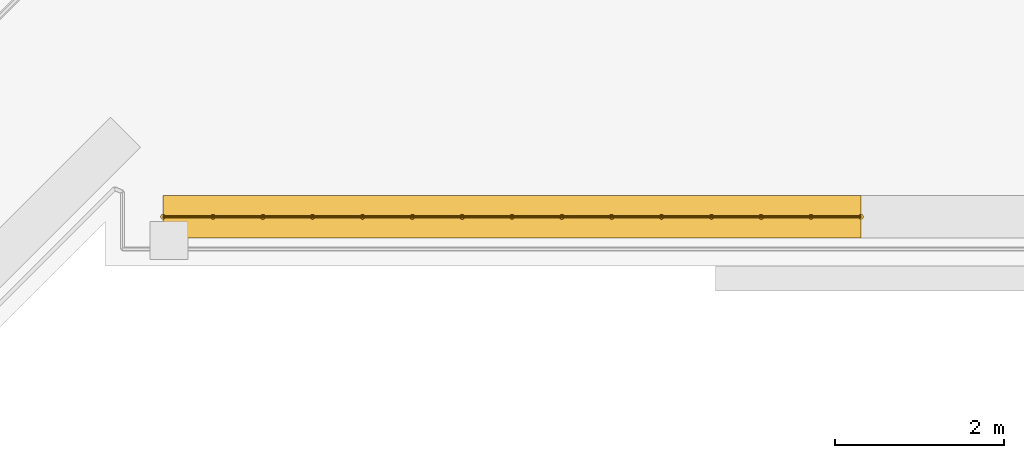
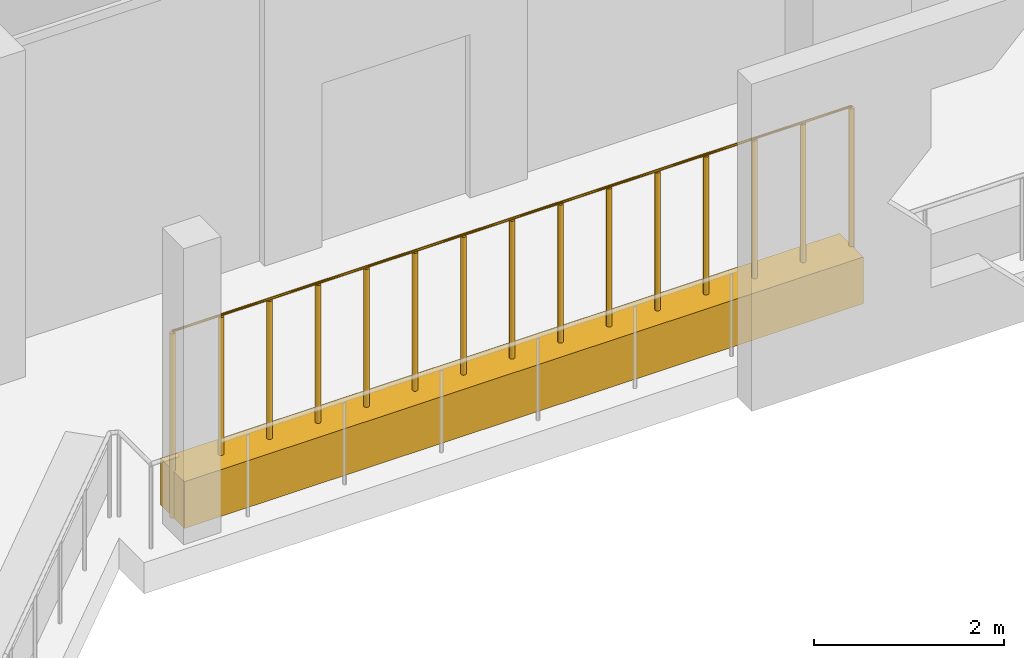
# One storey, part 24 of 28: 1 covering, 1 railing.
"""IFC4 building model written with IfcOpenShell, lengths in metres."""

import ifcopenshell
import ifcopenshell.guid

model = None  # the IFC model being written
_history = None  # IfcOwnerHistory: only IFC2X3 demands one
_inside = {}  # id of a spatial element -> (the spatial element, [elements in it])
_under = {}  # id of a project, library or spatial element -> (it, [spatial elements below it])
_declared = {}  # id of a project -> (the project, [libraries it declares])
_typed = {}  # id of a type object -> (the type object, [elements of that type])
_made_of = {}  # id of a material, layer set ... -> (it, [elements and type objects made of it])


def new_model(schema):
    """Start an empty IFC model of exactly this schema.

    Asked for "IFC4X3", IfcOpenShell would pick the latest addendum, in which some entities
    have other attributes; the version numbers below select the first issue.
    IFC2X3 requires an IfcOwnerHistory on every rooted entity: one is made here for all.
    """
    global model, _history
    if schema == "IFC4X3":
        model = ifcopenshell.file(schema_version=(4, 3, 0, 0))
    else:
        model = ifcopenshell.file(schema=schema)
    _inside.clear()
    _under.clear()
    _declared.clear()
    _typed.clear()
    _made_of.clear()
    _history = None
    if model.schema == "IFC2X3":
        org = make("IfcOrganization", Name="unknown")
        user = make(
            "IfcPersonAndOrganization",
            ThePerson=make("IfcPerson", FamilyName="unknown"),
            TheOrganization=org,
        )
        app = make(
            "IfcApplication",
            ApplicationDeveloper=org,
            Version="unknown",
            ApplicationFullName="unknown",
            ApplicationIdentifier="unknown",
        )
        _history = make(
            "IfcOwnerHistory",
            OwningUser=user,
            OwningApplication=app,
            ChangeAction="ADDED",
            CreationDate=0,
        )
    return model


def make(cls, **values):
    """One entity of the class cls with the attributes given. An attribute that is None is left unset."""
    return model.create_entity(
        cls, **{name: value for name, value in values.items() if value is not None}
    )


def rooted(cls, **values):
    """An entity with a GlobalId (a new one), such as an element, a storey or a relation."""
    return make(cls, GlobalId=ifcopenshell.guid.new(), OwnerHistory=_history, **values)


def si_unit(unit_type, name, prefix=None):
    """IfcSIUnit, for example si_unit("LENGTHUNIT", "METRE", prefix="MILLI")."""
    return make("IfcSIUnit", UnitType=unit_type, Prefix=prefix, Name=name)


def assignment(units):
    """IfcUnitAssignment: the units of a project."""
    return None if units is None else make("IfcUnitAssignment", Units=units)


def point(xyz):
    """IfcCartesianPoint."""
    return None if xyz is None else make("IfcCartesianPoint", Coordinates=xyz)


def direction(xyz):
    """IfcDirection."""
    return None if xyz is None else make("IfcDirection", DirectionRatios=xyz)


def frame(location, z_axis=None, x_axis=None):
    """IfcAxis2Placement3D, a coordinate frame: its origin and axes. An axis left out is left unset."""
    return make(
        "IfcAxis2Placement3D",
        Location=point(location),
        Axis=direction(z_axis),
        RefDirection=direction(x_axis),
    )


def frame_2d(location, x_axis=None):
    """IfcAxis2Placement2D, a coordinate frame in the plane: its origin and x axis."""
    return make(
        "IfcAxis2Placement2D", Location=point(location), RefDirection=direction(x_axis)
    )


def origin():
    """The frame at (0, 0, 0) with its axes left unset."""
    return frame((0.0, 0.0, 0.0))


def origin_2d():
    """The frame at (0, 0) in the plane with its x axis left unset."""
    return frame_2d((0.0, 0.0))


def place(relative_to, where):
    """IfcLocalPlacement: puts the frame where relative to a parent placement (None: the world)."""
    return make(
        "IfcLocalPlacement", PlacementRelTo=relative_to, RelativePlacement=where
    )


def context(
    kind, dimensions, precision=None, world=None, true_north=None, identifier=None
):
    """IfcGeometricRepresentationContext, for example the 3D "Model" context."""
    return make(
        "IfcGeometricRepresentationContext",
        ContextIdentifier=identifier,
        ContextType=kind,
        CoordinateSpaceDimension=dimensions,
        Precision=precision,
        WorldCoordinateSystem=world,
        TrueNorth=true_north,
    )


def subcontext(parent, identifier, kind, view, scale=None):
    """IfcGeometricRepresentationSubContext, for example "Body" below "Model"."""
    return make(
        "IfcGeometricRepresentationSubContext",
        ContextIdentifier=identifier,
        ContextType=kind,
        ParentContext=parent,
        TargetScale=scale,
        TargetView=view,
    )


def project(units=None, contexts=None):
    """IfcProject with its units and contexts."""
    return rooted(
        "IfcProject",
        Name="project",
        RepresentationContexts=contexts,
        UnitsInContext=assignment(units),
    )


def spatial(cls, under=None, at=None, **own):
    """A site, building, storey or space (cls), placed at a placement, below another one or the project."""
    s = rooted(cls, ObjectPlacement=at, **own)
    if under is not None:
        _under.setdefault(under.id(), (under, []))[1].append(s)
    return s


def profile(cls, at=None, kind="AREA", **sizes):
    """A parametric profile (cls). Its sizes go by their IFC names, for example OverallWidth=200.0."""
    return make(cls, ProfileType=kind, Position=at, **sizes)


def rectangle(**sizes):
    """IfcRectangleProfileDef."""
    return profile("IfcRectangleProfileDef", **sizes)


def circle(**sizes):
    """IfcCircleProfileDef."""
    return profile("IfcCircleProfileDef", **sizes)


def extrude(swept, where, along, depth):
    """IfcExtrudedAreaSolid: the profile swept, set in the frame where, extruded along a direction by depth."""
    return make(
        "IfcExtrudedAreaSolid",
        SweptArea=swept,
        Position=where,
        ExtrudedDirection=direction(along),
        Depth=depth,
    )


def shape(context_of_items, identifier, shape_type, items):
    """IfcShapeRepresentation: the items that make up one representation, for example the "Body"."""
    return make(
        "IfcShapeRepresentation",
        ContextOfItems=context_of_items,
        RepresentationIdentifier=identifier,
        RepresentationType=shape_type,
        Items=items,
    )


def material(Name=None, Category=None):
    """IfcMaterial."""
    return make("IfcMaterial", Name=Name, Category=Category)


def material_profile(
    of_material, cross_section, Name=None, Category=None, Priority=None
):
    """IfcMaterialProfile: a cross section and its material."""
    return make(
        "IfcMaterialProfile",
        Name=Name,
        Material=of_material,
        Profile=cross_section,
        Priority=Priority,
        Category=Category,
    )


def profile_set(profiles, Name=None, composite=None):
    """IfcMaterialProfileSet."""
    return make(
        "IfcMaterialProfileSet",
        Name=Name,
        MaterialProfiles=profiles,
        CompositeProfile=composite,
    )


def made_of(thing, what):
    """Note that an element or type object is made of a material, layer set ...; save() writes the relation."""
    if what is not None:
        _made_of.setdefault(what.id(), (what, []))[1].append(thing)
    return thing


def type_object(cls, material=None, **own):
    """A type object (cls), such as IfcWallType, which elements share."""
    return made_of(rooted(cls, **own), material)


def element(
    cls,
    number,
    at=None,
    inside=None,
    cuts=None,
    type_object=None,
    material=None,
    context=None,
    identifier="Body",
    shape_type=None,
    held_by="IfcProductDefinitionShape",
    body=None,
    shapes=None,
    **own,
):
    """One element of the class cls, such as IfcWall. Its Tag is "e" and its number.

    at: its placement. inside: the storey or other place that contains it. cuts: it is an
    opening in that element (IfcRelVoidsElement). A single representation is given by context,
    identifier, shape_type and body (its items); several are given by shapes. held_by: the class
    of the entity that holds the representations. save() writes the other relations.
    """
    e = rooted(cls, Tag="e%d" % number, ObjectPlacement=at, **own)
    if body is not None:
        shapes = [shape(context, identifier, shape_type, body)]
    if shapes is not None:
        e.Representation = make(held_by, Representations=shapes)
    if inside is not None:
        _inside.setdefault(inside.id(), (inside, []))[1].append(e)
    if cuts is not None:
        rooted(
            "IfcRelVoidsElement", RelatingBuildingElement=cuts, RelatedOpeningElement=e
        )
    if type_object is not None:
        _typed.setdefault(type_object.id(), (type_object, []))[1].append(e)
    return made_of(e, material)


def aggregate(whole, parts):
    """IfcRelAggregates: a whole, such as a stair, and the parts it consists of."""
    return rooted("IfcRelAggregates", RelatingObject=whole, RelatedObjects=parts)


def save(model, path):
    """Write the relations noted so far, then the file.

    IfcRelAggregates (storeys below a building ...), IfcRelContainedInSpatialStructure (elements
    in a storey), IfcRelDefinesByType, IfcRelAssociatesMaterial and IfcRelDeclares: one each for
    every whole, place, type object, material and project.
    """
    for whole, parts in _under.values():
        aggregate(whole, parts)
    for where, things in _inside.values():
        rooted(
            "IfcRelContainedInSpatialStructure",
            RelatedElements=things,
            RelatingStructure=where,
        )
    for kind, things in _typed.values():
        rooted("IfcRelDefinesByType", RelatedObjects=things, RelatingType=kind)
    for what, things in _made_of.values():
        rooted("IfcRelAssociatesMaterial", RelatedObjects=things, RelatingMaterial=what)
    for by, libraries in _declared.values():
        rooted("IfcRelDeclares", RelatingContext=by, RelatedDefinitions=libraries)
    model.write(path)


model = new_model("IFC4")

# Units and contexts
model_context = context("Model", 3, precision=1e-05, world=origin(), true_north=direction((0.0, 1.0)))
body_context = subcontext(model_context, "Body", "Model", "MODEL_VIEW")
ifc_project = project(units=[si_unit("LENGTHUNIT", "METRE"), si_unit("AREAUNIT", "SQUARE_METRE"), si_unit("VOLUMEUNIT", "CUBIC_METRE"), si_unit("PLANEANGLEUNIT", "RADIAN"), si_unit("MASSUNIT", "GRAM", prefix="KILO")], contexts=[model_context])

# Site, building, storey
site_placement = place(None, origin())
site = spatial("IfcSite", under=ifc_project, at=site_placement, CompositionType="ELEMENT")
building_placement = place(site_placement, origin())
building = spatial("IfcBuilding", under=site, at=building_placement, Name="Kawkab Arch Medical Tower", CompositionType="ELEMENT")
storey_placement = place(building_placement, frame((0.0, 0.0, 56.0)))
storey = spatial("IfcBuildingStorey", under=building, at=storey_placement, Name="L12", CompositionType="ELEMENT", Elevation=56.0)

# Covering
ifc_material_1 = material(Name="Planting soil in a precast trough", Category="concrete")
ifc_material_profile = material_profile(ifc_material_1, rectangle(XDim=0.5, YDim=0.60009765625, at=origin_2d()), Name="Trough 500x600")
ifc_profile_set = profile_set([ifc_material_profile], Name="Planting soil in a precast trough")
covering_type = type_object("IfcCoveringType", Name="Planter trough 500 x 600", PredefinedType="USERDEFINED", material=ifc_profile_set)
covering_placement = place(storey_placement, frame((40.126953125, -28.820068359375, 0.300048828125), z_axis=(-1.0, 0.0, 0.0), x_axis=(0.0, -1.0, 0.0)))
element("IfcCovering", 1, at=covering_placement, inside=storey, type_object=covering_type, Name="Planter L12.LOG-01-01.41", ObjectType="PLANTER", PredefinedType="USERDEFINED", context=body_context, shape_type="SweptSolid", body=[
    extrude(rectangle(XDim=0.5, YDim=0.60009765625, at=origin_2d()), origin(), (0.0, 0.0, 1.0), 8.2470703125),
])

# Railing
ifc_material_2 = material(Name="Bronze anodised aluminium trellis for climbing plants", Category="aluminium")
railing_type = type_object("IfcRailingType", Name="Planting trellis 2400", PredefinedType="USERDEFINED", material=ifc_material_2)
railing_placement = place(storey_placement, frame((40.126953125, -28.820068359375, 0.0)))
element("IfcRailing", 2, at=railing_placement, inside=storey, type_object=railing_type, Name="Planting trellis L12.LOG-01-01.41", ObjectType="TRELLIS", PredefinedType="USERDEFINED", context=body_context, shape_type="SweptSolid", body=[
    extrude(circle(Radius=0.01513671875, at=origin_2d()), frame((0.0, 0.0, 2.384765625), z_axis=(-1.0, 0.0, 0.0), x_axis=(0.0, -1.0, 0.0)), (0.0, 0.0, 1.0), 8.2470703125),
    extrude(circle(Radius=0.030029296875, at=origin_2d()), origin(), (0.0, 0.0, 1.0), 2.369873046875),
    extrude(circle(Radius=0.030029296875, at=origin_2d()), frame((-0.589111328125, 0.0, 0.0)), (0.0, 0.0, 1.0), 2.369873046875),
    extrude(circle(Radius=0.030029296875, at=origin_2d()), frame((-1.17822265625, 0.0, 0.0)), (0.0, 0.0, 1.0), 2.369873046875),
    extrude(circle(Radius=0.030029296875, at=origin_2d()), frame((-1.767333984375, 0.0, 0.0)), (0.0, 0.0, 1.0), 2.369873046875),
    extrude(circle(Radius=0.030029296875, at=origin_2d()), frame((-2.356201171875, 0.0, 0.0)), (0.0, 0.0, 1.0), 2.369873046875),
    extrude(circle(Radius=0.030029296875, at=origin_2d()), frame((-2.9453125, 0.0, 0.0)), (0.0, 0.0, 1.0), 2.369873046875),
    extrude(circle(Radius=0.030029296875, at=origin_2d()), frame((-3.534423828125, 0.0, 0.0)), (0.0, 0.0, 1.0), 2.369873046875),
    extrude(circle(Radius=0.030029296875, at=origin_2d()), frame((-4.12353515625, 0.0, 0.0)), (0.0, 0.0, 1.0), 2.369873046875),
    extrude(circle(Radius=0.030029296875, at=origin_2d()), frame((-4.712646484375, 0.0, 0.0)), (0.0, 0.0, 1.0), 2.369873046875),
    extrude(circle(Radius=0.030029296875, at=origin_2d()), frame((-5.3017578125, 0.0, 0.0)), (0.0, 0.0, 1.0), 2.369873046875),
    extrude(circle(Radius=0.030029296875, at=origin_2d()), frame((-5.890869140625, 0.0, 0.0)), (0.0, 0.0, 1.0), 2.369873046875),
    extrude(circle(Radius=0.030029296875, at=origin_2d()), frame((-6.479736328125, 0.0, 0.0)), (0.0, 0.0, 1.0), 2.369873046875),
    extrude(circle(Radius=0.030029296875, at=origin_2d()), frame((-7.06884765625, 0.0, 0.0)), (0.0, 0.0, 1.0), 2.369873046875),
    extrude(circle(Radius=0.030029296875, at=origin_2d()), frame((-7.657958984375, 0.0, 0.0)), (0.0, 0.0, 1.0), 2.369873046875),
    extrude(circle(Radius=0.030029296875, at=origin_2d()), frame((-8.2470703125, 0.0, 0.0)), (0.0, 0.0, 1.0), 2.369873046875),
])

save(model, "model.ifc")
